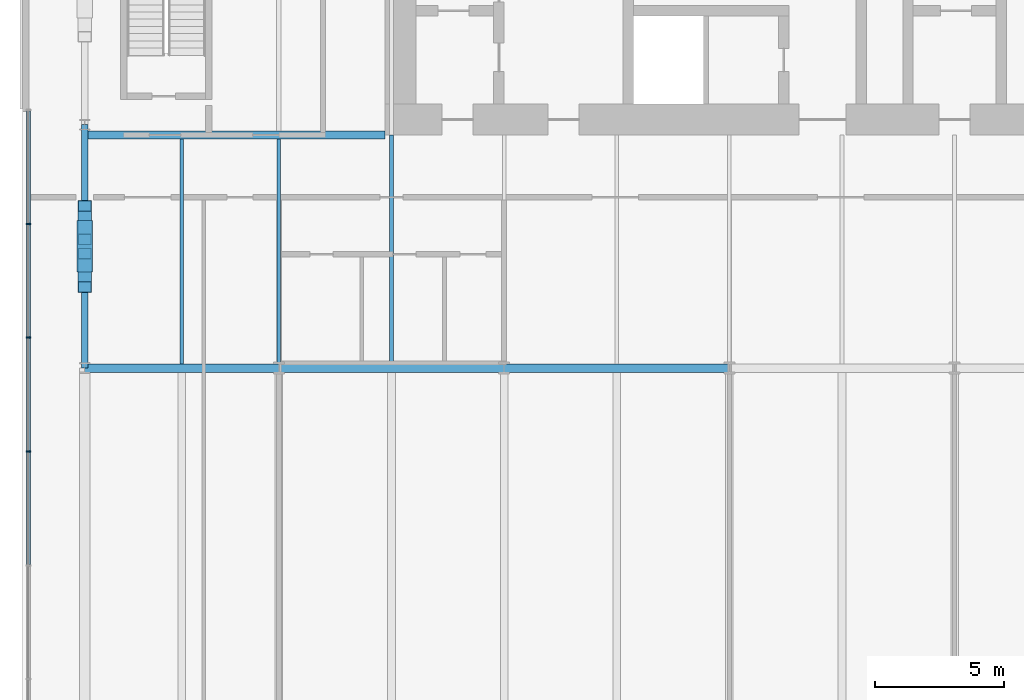
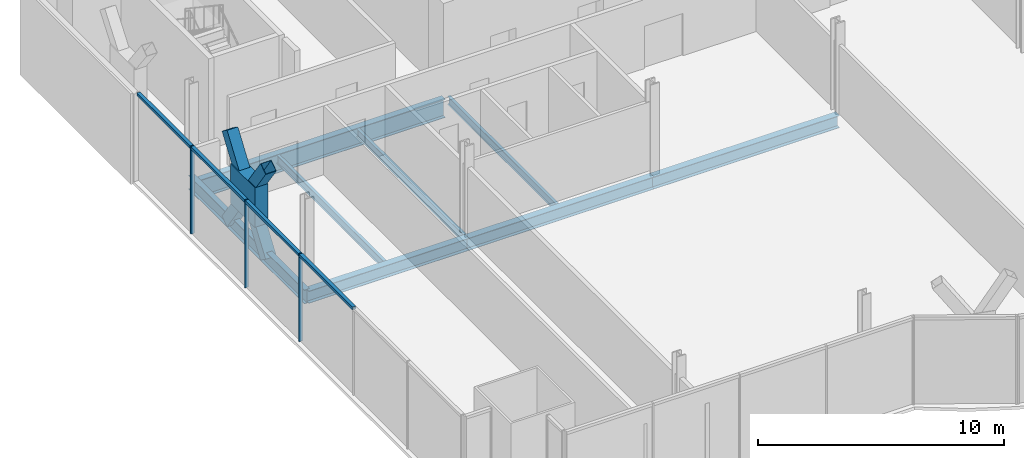
# One storey, part 6 of 22: 12 members, 8 beams, 1 element without a shape of its own.
"""IFC4 building model written with IfcOpenShell, lengths in metres."""

from ifc_helpers import new_model, si_unit, direction, frame, origin, origin_2d, place, context, subcontext, project, spatial, rectangle, hollow_rectangle, i_section, extrude, material, material_profile, profile_set, type_object, element, aggregate, save


model = new_model("IFC4")

# Units and contexts
model_context = context("Model", 3, precision=1e-05, world=origin(), true_north=direction((0.0, 1.0)))
body_context = subcontext(model_context, "Body", "Model", "MODEL_VIEW")
ifc_project = project(units=[si_unit("LENGTHUNIT", "METRE"), si_unit("AREAUNIT", "SQUARE_METRE"), si_unit("VOLUMEUNIT", "CUBIC_METRE"), si_unit("PLANEANGLEUNIT", "RADIAN"), si_unit("MASSUNIT", "GRAM", prefix="KILO")], contexts=[model_context])

# Site, building, storey
site_placement = place(None, origin())
site = spatial("IfcSite", under=ifc_project, at=site_placement, CompositionType="ELEMENT")
building_placement = place(site_placement, origin())
building = spatial("IfcBuilding", under=site, at=building_placement, Name="Bicima Exchange Tower", CompositionType="ELEMENT")
storey_placement = place(building_placement, frame((0.0, 0.0, 39.5)))
storey = spatial("IfcBuildingStorey", under=building, at=storey_placement, Name="L07", CompositionType="ELEMENT", Elevation=39.5)

# Member
ifc_material_1 = material(Name="Steel ASTM A572 Gr 50", Category="steel")
ifc_material_profile_1 = material_profile(ifc_material_1, rectangle(XDim=0.60791015625, YDim=1.985107421875, at=origin_2d()))
ifc_profile_set_1 = profile_set([ifc_material_profile_1], Name="Steel ASTM A572 Gr 50")
member_type_1 = type_object("IfcMemberType", Name="Brace crossing node 608 x 1985", PredefinedType="POST", material=ifc_profile_set_1)
member_1_placement = place(storey_placement, frame((-33.60009765625, -17.300048828125, 0.770751953125), z_axis=(0.0, 0.0, 1.0), x_axis=(1.0, 0.0, 0.0)))
element("IfcMember", 1, at=member_1_placement, inside=storey, type_object=member_type_1, Name="Brace crossing node block", PredefinedType="POST", context=body_context, shape_type="SweptSolid", body=[
    extrude(rectangle(XDim=0.60791015625, YDim=1.985107421875, at=origin_2d()), origin(), (0.0, 0.0, 1.0), 1.965087890625),
])

# Beam
ifc_material_2 = material(Name="Steel ASTM A992 Gr 50", Category="steel")
ifc_material_profile_2 = material_profile(ifc_material_2, i_section(OverallWidth=0.3046875, OverallDepth=0.911865234375, WebThickness=0.015869140625, FlangeThickness=0.02392578125, at=origin_2d()))
ifc_profile_set_2 = profile_set([ifc_material_profile_2], Name="Steel ASTM A992 Gr 50")
beam_type_1 = type_object("IfcBeamType", Name="Core-line girder W36x150", PredefinedType="BEAM", material=ifc_profile_set_2)
beam_1_placement = place(storey_placement, frame((-22.0, -13.0, -0.60595703125), z_axis=(-1.0, 0.0, 0.0), x_axis=(0.0, -1.0, 0.0)))
element("IfcBeam", 2, at=beam_1_placement, inside=storey, type_object=beam_type_1, Name="Core-line girder", PredefinedType="BEAM", context=body_context, shape_type="SweptSolid", body=[
    extrude(i_section(OverallWidth=0.3046875, OverallDepth=0.911865234375, WebThickness=0.015869140625, FlangeThickness=0.02392578125, at=origin_2d()), origin(), (0.0, 0.0, 1.0), 11.60009765625),
])

# Curtain wall, members
ifc_material_3 = material(Name="Anodised bronze aluminium", Category="aluminium")
curtain_wall_type = type_object("IfcCurtainWallType", Name="End face glass wall", PredefinedType="NOTDEFINED", material=ifc_material_3)
curtain_wall_placement = place(storey_placement, origin())
curtain_wall = element("IfcCurtainWall", 3, at=curtain_wall_placement, inside=storey, type_object=curtain_wall_type, Name="End face glass wall L07 run 2", PredefinedType="NOTDEFINED")
ifc_material_profile_3 = material_profile(ifc_material_3, rectangle(XDim=0.159912109375, YDim=0.06005859375, at=origin_2d()))
ifc_profile_set_3 = profile_set([ifc_material_profile_3], Name="Anodised bronze aluminium")
member_type_2 = type_object("IfcMemberType", Name="End face glass wall mullion 60 x 160", PredefinedType="MULLION", material=ifc_profile_set_3)
member_2_placement = place(storey_placement, frame((-35.77001953125, -16.427734375, 0.0), z_axis=(0.0, 0.0, 1.0), x_axis=(1.0, 0.0, 0.0)))
member_2 = element("IfcMember", 4, at=member_2_placement, type_object=member_type_2, Name="End face glass wall mullion 2", PredefinedType="MULLION", context=body_context, shape_type="SweptSolid", body=[
    extrude(rectangle(XDim=0.159912109375, YDim=0.06005859375, at=origin_2d()), origin(), (0.0, 0.0, 1.0), 4.35009765625),
])
member_3_placement = place(storey_placement, frame((-35.77001953125, -20.8251953125, 0.0), z_axis=(0.0, 0.0, 1.0), x_axis=(1.0, 0.0, 0.0)))
member_3 = element("IfcMember", 5, at=member_3_placement, type_object=member_type_2, Name="End face glass wall mullion 3", PredefinedType="MULLION", context=body_context, shape_type="SweptSolid", body=[
    extrude(rectangle(XDim=0.159912109375, YDim=0.06005859375, at=origin_2d()), origin(), (0.0, 0.0, 1.0), 4.35009765625),
])
member_4_placement = place(storey_placement, frame((-35.77001953125, -25.222900390625, 0.0), z_axis=(0.0, 0.0, 1.0), x_axis=(1.0, 0.0, 0.0)))
member_4 = element("IfcMember", 6, at=member_4_placement, type_object=member_type_2, Name="End face glass wall mullion 4", PredefinedType="MULLION", context=body_context, shape_type="SweptSolid", body=[
    extrude(rectangle(XDim=0.159912109375, YDim=0.06005859375, at=origin_2d()), origin(), (0.0, 0.0, 1.0), 4.35009765625),
])
ifc_material_profile_4 = material_profile(ifc_material_3, rectangle(XDim=0.159912109375, YDim=0.139892578125, at=origin_2d()))
ifc_profile_set_4 = profile_set([ifc_material_profile_4], Name="Anodised bronze aluminium")
member_type_3 = type_object("IfcMemberType", Name="End face glass wall transom 140 x 160", PredefinedType="USERDEFINED", material=ifc_profile_set_4)
member_5_placement = place(storey_placement, frame((-35.77001953125, -12.06005859375, 4.280029296875), z_axis=(0.0, -1.0, 0.0), x_axis=(1.0, 0.0, 0.0)))
member_5 = element("IfcMember", 7, at=member_5_placement, type_object=member_type_3, Name="End face glass wall transom 1.1", ObjectType="TRANSOM", PredefinedType="USERDEFINED", context=body_context, shape_type="SweptSolid", body=[
    extrude(rectangle(XDim=0.159912109375, YDim=0.139892578125, at=origin_2d()), origin(), (0.0, 0.0, 1.0), 4.337646484375),
])
member_6_placement = place(storey_placement, frame((-35.77001953125, -16.457763671875, 4.280029296875), z_axis=(0.0, -1.0, 0.0), x_axis=(1.0, 0.0, 0.0)))
member_6 = element("IfcMember", 8, at=member_6_placement, type_object=member_type_3, Name="End face glass wall transom 2.1", ObjectType="TRANSOM", PredefinedType="USERDEFINED", context=body_context, shape_type="SweptSolid", body=[
    extrude(rectangle(XDim=0.159912109375, YDim=0.139892578125, at=origin_2d()), origin(), (0.0, 0.0, 1.0), 4.337646484375),
])
member_7_placement = place(storey_placement, frame((-35.77001953125, -20.855224609375, 4.280029296875), z_axis=(0.0, -1.0, 0.0), x_axis=(1.0, 0.0, 0.0)))
member_7 = element("IfcMember", 9, at=member_7_placement, type_object=member_type_3, Name="End face glass wall transom 3.1", ObjectType="TRANSOM", PredefinedType="USERDEFINED", context=body_context, shape_type="SweptSolid", body=[
    extrude(rectangle(XDim=0.159912109375, YDim=0.139892578125, at=origin_2d()), origin(), (0.0, 0.0, 1.0), 4.337890625),
])
member_8_placement = place(storey_placement, frame((-35.77001953125, -25.2529296875, 4.280029296875), z_axis=(0.0, -1.0, 0.0), x_axis=(1.0, 0.0, 0.0)))
member_8 = element("IfcMember", 10, at=member_8_placement, type_object=member_type_3, Name="End face glass wall transom 4.1", ObjectType="TRANSOM", PredefinedType="USERDEFINED", context=body_context, shape_type="SweptSolid", body=[
    extrude(rectangle(XDim=0.159912109375, YDim=0.139892578125, at=origin_2d()), origin(), (0.0, 0.0, 1.0), 4.337890625),
])
aggregate(curtain_wall, [member_2, member_3, member_4, member_5, member_6, member_7, member_8])

# Beams
ifc_material_profile_5 = material_profile(ifc_material_2, i_section(OverallWidth=0.256591796875, OverallDepth=0.693359375, WebThickness=0.014404296875, FlangeThickness=0.023681640625, at=origin_2d()))
ifc_profile_set_5 = profile_set([ifc_material_profile_5], Name="Steel ASTM A992 Gr 50")
beam_type_2 = type_object("IfcBeamType", Name="End girder W27x114", PredefinedType="BEAM", material=ifc_profile_set_5)
beam_2_placement = place(storey_placement, frame((-33.60009765625, -12.60009765625, -0.49658203125), z_axis=(0.0, -1.0, 0.0), x_axis=(1.0, 0.0, 0.0)))
element("IfcBeam", 11, at=beam_2_placement, inside=storey, type_object=beam_type_2, Name="End girder", PredefinedType="BEAM", context=body_context, shape_type="SweptSolid", body=[
    extrude(i_section(OverallWidth=0.256591796875, OverallDepth=0.693359375, WebThickness=0.014404296875, FlangeThickness=0.023681640625, at=origin_2d()), origin(), (0.0, 0.0, 1.0), 9.39990234375),
])
ifc_material_profile_6 = material_profile(ifc_material_2, i_section(OverallWidth=0.140380859375, OverallDepth=0.40380859375, WebThickness=0.007080078125, FlangeThickness=0.01123046875, at=origin_2d()))
ifc_profile_set_6 = profile_set([ifc_material_profile_6], Name="Steel ASTM A992 Gr 50")
beam_type_3 = type_object("IfcBeamType", Name="Floor beam W16x31", PredefinedType="JOIST", material=ifc_profile_set_6)
for number, where, z_axis, x_axis, name in (
    (12, (-29.85009765625, -13.15234375, -0.351806640625), (0.0, -1.0, 0.0), (1.0, 0.0, 0.0), "Floor beam"),
    (13, (-26.10009765625, -13.15234375, -0.351806640625), (0.0, -1.0, 0.0), (1.0, 0.0, 0.0), "Floor beam"),
):
    element("IfcBeam", number, at=place(storey_placement, frame(where, z_axis=z_axis, x_axis=x_axis)), inside=storey, type_object=beam_type_3, Name=name, PredefinedType="JOIST", context=body_context, shape_type="SweptSolid", body=[
        extrude(i_section(OverallWidth=0.140380859375, OverallDepth=0.40380859375, WebThickness=0.007080078125, FlangeThickness=0.01123046875, at=origin_2d()), origin(), (0.0, 0.0, 1.0), 8.68505859375),
    ])
beam_3_placement = place(storey_placement, frame((-21.75, -13.0, -0.351806640625), z_axis=(0.0, -1.0, 0.0), x_axis=(1.0, 0.0, 0.0)))
element("IfcBeam", 14, at=beam_3_placement, inside=storey, type_object=beam_type_3, Name="Floor beam", PredefinedType="JOIST", context=body_context, shape_type="SweptSolid", body=[
    extrude(i_section(OverallWidth=0.140380859375, OverallDepth=0.40380859375, WebThickness=0.007080078125, FlangeThickness=0.01123046875, at=origin_2d()), origin(), (0.0, 0.0, 1.0), 8.83740234375),
])

# Members
ifc_material_profile_7 = material_profile(ifc_material_1, hollow_rectangle(XDim=0.508056640625, YDim=0.508056640625, WallThickness=0.017822265625, at=origin_2d()))
ifc_profile_set_7 = profile_set([ifc_material_profile_7], Name="Steel ASTM A572 Gr 50")
member_type_4 = type_object("IfcMemberType", Name="Mega brace HSS20x20x3/4", PredefinedType="BRACE", material=ifc_profile_set_7)
member_9_placement = place(storey_placement, frame((-33.60009765625, -15.7333984375, -0.49658203125), z_axis=(0.0, -0.57138627015, 0.820681259859), x_axis=(1.0, 0.0, 0.0)))
element("IfcMember", 15, at=member_9_placement, inside=storey, type_object=member_type_4, Name="Mega brace west end", PredefinedType="BRACE", context=body_context, shape_type="SweptSolid", body=[
    extrude(hollow_rectangle(XDim=0.508056640625, YDim=0.508056640625, WallThickness=0.017822265625, at=origin_2d()), origin(), (0.0, 0.0, 1.0), 2.26708984375),
])
member_10_placement = place(storey_placement, frame((-33.60009765625, -17.571044921875, 2.142578125), z_axis=(0.0, -0.571408298474, 0.82066592255), x_axis=(1.0, 0.0, 0.0)))
element("IfcMember", 16, at=member_10_placement, inside=storey, type_object=member_type_4, Name="Mega brace west end", PredefinedType="BRACE", context=body_context, shape_type="SweptSolid", body=[
    extrude(hollow_rectangle(XDim=0.508056640625, YDim=0.508056640625, WallThickness=0.017822265625, at=origin_2d()), origin(), (0.0, 0.0, 1.0), 2.267578125),
])
for number, where, z_axis, x_axis, name in (
    (17, (-33.60009765625, -18.86669921875, -0.49658203125), (0.0, 0.571458792439, 0.820630762611), (-1.0, 0.0, 0.0), "Mega brace west end"),
    (18, (-33.60009765625, -17.02880859375, 2.142578125), (0.0, 0.571335776381, 0.820716413037), (-1.0, 0.0, 0.0), "Mega brace west end"),
):
    element("IfcMember", number, at=place(storey_placement, frame(where, z_axis=z_axis, x_axis=x_axis)), inside=storey, type_object=member_type_4, Name=name, PredefinedType="BRACE", context=body_context, shape_type="SweptSolid", body=[
        extrude(hollow_rectangle(XDim=0.508056640625, YDim=0.508056640625, WallThickness=0.017822265625, at=origin_2d()), origin(), (0.0, 0.0, 1.0), 2.267333984375),
    ])

# Beams
ifc_material_profile_8 = material_profile(ifc_material_2, i_section(OverallWidth=0.3251953125, OverallDepth=0.612060546875, WebThickness=0.0126953125, FlangeThickness=0.01904296875, at=origin_2d()))
ifc_profile_set_8 = profile_set([ifc_material_profile_8], Name="Steel ASTM A992 Gr 50")
beam_type_4 = type_object("IfcBeamType", Name="Row girder W24x104", PredefinedType="BEAM", material=ifc_profile_set_8)
beam_4_placement = place(storey_placement, frame((-33.60009765625, -22.0, -0.4560546875), z_axis=(1.0, 0.0, 0.0), x_axis=(0.0, 1.0, 0.0)))
element("IfcBeam", 19, at=beam_4_placement, inside=storey, type_object=beam_type_4, Name="Row girder", PredefinedType="BEAM", context=body_context, shape_type="SweptSolid", body=[
    extrude(i_section(OverallWidth=0.3251953125, OverallDepth=0.612060546875, WebThickness=0.0126953125, FlangeThickness=0.01904296875, at=origin_2d()), origin(), (0.0, 0.0, 1.0), 7.5),
])
beam_5_placement = place(storey_placement, frame((-26.10009765625, -22.0, -0.4560546875), z_axis=(1.0, 0.0, 0.0), x_axis=(0.0, 1.0, 0.0)))
element("IfcBeam", 20, at=beam_5_placement, inside=storey, type_object=beam_type_4, Name="Row girder", PredefinedType="BEAM", context=body_context, shape_type="SweptSolid", body=[
    extrude(i_section(OverallWidth=0.3251953125, OverallDepth=0.612060546875, WebThickness=0.0126953125, FlangeThickness=0.01904296875, at=origin_2d()), origin(), (0.0, 0.0, 1.0), 8.7001953125),
])
beam_6_placement = place(storey_placement, frame((-17.39990234375, -22.0, -0.4560546875), z_axis=(1.0, 0.0, 0.0), x_axis=(0.0, 1.0, 0.0)))
element("IfcBeam", 21, at=beam_6_placement, inside=storey, type_object=beam_type_4, Name="Row girder", PredefinedType="BEAM", context=body_context, shape_type="SweptSolid", body=[
    extrude(i_section(OverallWidth=0.3251953125, OverallDepth=0.612060546875, WebThickness=0.0126953125, FlangeThickness=0.01904296875, at=origin_2d()), origin(), (0.0, 0.0, 1.0), 8.699951171875),
])

save(model, "model.ifc")
